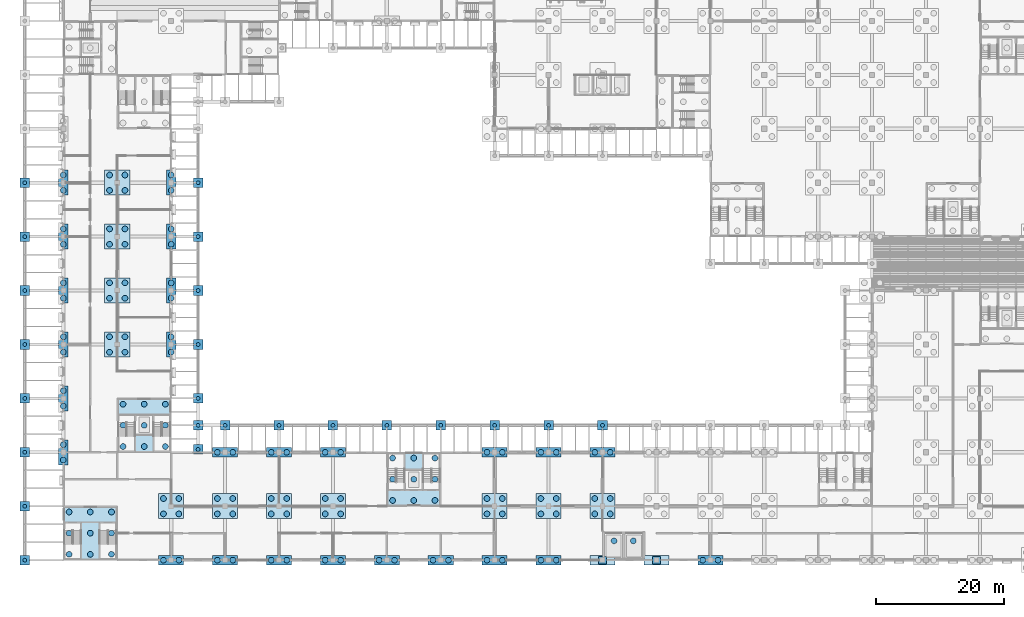
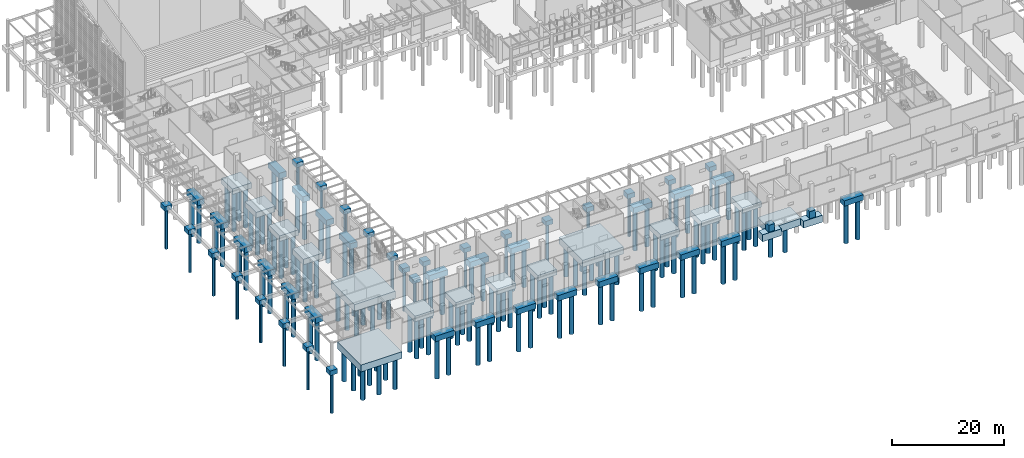
# One storey, part 1 of 82: 146 piles, 65 footings.
"""IFC4 building model written with IfcOpenShell, lengths in metres."""

from ifc_helpers import new_model, si_unit, direction, frame, origin, origin_2d, place, context, subcontext, project, spatial, polyline, rectangle, circle, outline, extrude, material, material_profile, profile_set, type_object, element, save


model = new_model("IFC4")

# Units and contexts
model_context = context("Model", 3, precision=1e-05, world=origin(), true_north=direction((0.0, 1.0)))
body_context = subcontext(model_context, "Body", "Model", "MODEL_VIEW")
ifc_project = project(units=[si_unit("LENGTHUNIT", "METRE"), si_unit("AREAUNIT", "SQUARE_METRE"), si_unit("VOLUMEUNIT", "CUBIC_METRE"), si_unit("PLANEANGLEUNIT", "RADIAN"), si_unit("MASSUNIT", "GRAM", prefix="KILO")], contexts=[model_context])

# Site, building, storey
site_placement = place(None, origin())
site = spatial("IfcSite", under=ifc_project, at=site_placement, CompositionType="ELEMENT")
building_placement = place(site_placement, origin())
building = spatial("IfcBuilding", under=site, at=building_placement, Name="Almond Square Museum", CompositionType="ELEMENT")
storey_placement = place(building_placement, origin())
storey = spatial("IfcBuildingStorey", under=building, at=storey_placement, Name="L00", CompositionType="ELEMENT", Elevation=0.0)

# Piles
ifc_material_1 = material(Name="Concrete C35/45", Category="concrete")
ifc_material_profile_1 = material_profile(ifc_material_1, circle(Radius=0.300048828125, at=origin_2d()))
ifc_profile_set_1 = profile_set([ifc_material_profile_1], Name="Concrete C35/45")
pile_type_1 = type_object("IfcPileType", Name="Bored pile D600 C35/45", PredefinedType="BORED", material=ifc_profile_set_1)
for number, where, z_axis, x_axis, name in (
    (1, (0.0, 0.0, -1.199951171875), (0.0, 0.0, -1.0), (1.0, 0.0, 0.0), "Bored pile 002-1"),
    (2, (0.0, 8.39990234375, -1.199951171875), (0.0, 0.0, -1.0), (1.0, 0.0, 0.0), "Bored pile 033-1"),
    (3, (0.0, 16.800048828125, -1.199951171875), (0.0, 0.0, -1.0), (1.0, 0.0, 0.0), "Bored pile 041-1"),
    (4, (27.0, 17.25, -1.199951171875), (0.0, 0.0, -1.0), (1.0, 0.0, 0.0), "Bored pile 052-1"),
    (5, (27.0, 21.0, -1.199951171875), (0.0, 0.0, -1.0), (1.0, 0.0, 0.0), "Bored pile 054-1"),
    (6, (31.199951171875, 21.0, -1.199951171875), (0.0, 0.0, -1.0), (1.0, 0.0, 0.0), "Bored pile 055-1"),
    (7, (39.60009765625, 21.0, -1.199951171875), (0.0, 0.0, -1.0), (1.0, 0.0, 0.0), "Bored pile 056-1"),
    (8, (48.0, 21.0, -1.199951171875), (0.0, 0.0, -1.0), (1.0, 0.0, 0.0), "Bored pile 057-1"),
    (9, (56.39990234375, 21.0, -1.199951171875), (0.0, 0.0, -1.0), (1.0, 0.0, 0.0), "Bored pile 058-1"),
    (10, (64.800048828125, 21.0, -1.199951171875), (0.0, 0.0, -1.0), (1.0, 0.0, 0.0), "Bored pile 059-1"),
    (11, (73.199951171875, 21.0, -1.199951171875), (0.0, 0.0, -1.0), (1.0, 0.0, 0.0), "Bored pile 060-1"),
    (12, (81.60009765625, 21.0, -1.199951171875), (0.0, 0.0, -1.0), (1.0, 0.0, 0.0), "Bored pile 061-1"),
    (13, (90.0, 21.0, -1.199951171875), (0.0, 0.0, -1.0), (1.0, 0.0, 0.0), "Bored pile 062-1"),
    (14, (0.0, 25.199951171875, -1.199951171875), (0.0, 0.0, -1.0), (1.0, 0.0, 0.0), "Bored pile 074-1"),
    (15, (27.0, 25.199951171875, -1.199951171875), (0.0, 0.0, -1.0), (1.0, 0.0, 0.0), "Bored pile 075-1"),
    (16, (0.0, 33.60009765625, -1.199951171875), (0.0, 0.0, -1.0), (1.0, 0.0, 0.0), "Bored pile 083-1"),
    (17, (27.0, 33.60009765625, -1.199951171875), (0.0, 0.0, -1.0), (1.0, 0.0, 0.0), "Bored pile 084-1"),
    (18, (0.0, 42.0, -1.199951171875), (0.0, 0.0, -1.0), (1.0, 0.0, 0.0), "Bored pile 092-1"),
    (19, (27.0, 42.0, -1.199951171875), (0.0, 0.0, -1.0), (1.0, 0.0, 0.0), "Bored pile 093-1"),
    (20, (0.0, 50.39990234375, -1.199951171875), (0.0, 0.0, -1.0), (1.0, 0.0, 0.0), "Bored pile 105-1"),
    (21, (27.0, 50.39990234375, -1.199951171875), (0.0, 0.0, -1.0), (1.0, 0.0, 0.0), "Bored pile 106-1"),
    (22, (0.0, 58.800048828125, -1.199951171875), (0.0, 0.0, -1.0), (1.0, 0.0, 0.0), "Bored pile 118-1"),
    (23, (27.0, 58.800048828125, -1.199951171875), (0.0, 0.0, -1.0), (1.0, 0.0, 0.0), "Bored pile 119-1"),
):
    element("IfcPile", number, at=place(storey_placement, frame(where, z_axis=z_axis, x_axis=x_axis)), inside=storey, type_object=pile_type_1, Name=name, PredefinedType="BORED", context=body_context, shape_type="SweptSolid", body=[
        extrude(circle(Radius=0.300048828125, at=origin_2d()), origin(), (0.0, 0.0, 1.0), 8.800048828125),
    ])
ifc_material_2 = material(Name="Concrete C35/45", Category="concrete")
ifc_material_profile_2 = material_profile(ifc_material_2, circle(Radius=0.449951171875, at=origin_2d()))
ifc_profile_set_2 = profile_set([ifc_material_profile_2], Name="Concrete C35/45")
pile_type_2 = type_object("IfcPileType", Name="Bored pile D900 C35/45", PredefinedType="BORED", material=ifc_profile_set_2)
for number, where, z_axis, x_axis, name in (
    (24, (21.60009765625, 0.0, -1.39990234375), (0.0, 0.0, -1.0), (1.0, 0.0, 0.0), "Bored pile 003-1"),
    (25, (24.0, 0.0, -1.39990234375), (0.0, 0.0, -1.0), (1.0, 0.0, 0.0), "Bored pile 003-2"),
    (26, (30.0, 0.0, -1.39990234375), (0.0, 0.0, -1.0), (1.0, 0.0, 0.0), "Bored pile 004-1"),
    (27, (32.39990234375, 0.0, -1.39990234375), (0.0, 0.0, -1.0), (1.0, 0.0, 0.0), "Bored pile 004-2"),
    (28, (38.39990234375, 0.0, -1.39990234375), (0.0, 0.0, -1.0), (1.0, 0.0, 0.0), "Bored pile 005-1"),
    (29, (40.800048828125, 0.0, -1.39990234375), (0.0, 0.0, -1.0), (1.0, 0.0, 0.0), "Bored pile 005-2"),
    (30, (46.800048828125, 0.0, -1.39990234375), (0.0, 0.0, -1.0), (1.0, 0.0, 0.0), "Bored pile 006-1"),
    (31, (49.199951171875, 0.0, -1.39990234375), (0.0, 0.0, -1.0), (1.0, 0.0, 0.0), "Bored pile 006-2"),
    (32, (55.199951171875, 0.0, -1.39990234375), (0.0, 0.0, -1.0), (1.0, 0.0, 0.0), "Bored pile 007-1"),
    (33, (57.60009765625, 0.0, -1.39990234375), (0.0, 0.0, -1.0), (1.0, 0.0, 0.0), "Bored pile 007-2"),
    (34, (63.60009765625, 0.0, -1.39990234375), (0.0, 0.0, -1.0), (1.0, 0.0, 0.0), "Bored pile 008-1"),
    (35, (66.0, 0.0, -1.39990234375), (0.0, 0.0, -1.0), (1.0, 0.0, 0.0), "Bored pile 008-2"),
    (36, (72.0, 0.0, -1.39990234375), (0.0, 0.0, -1.0), (1.0, 0.0, 0.0), "Bored pile 009-1"),
    (37, (74.39990234375, 0.0, -1.39990234375), (0.0, 0.0, -1.0), (1.0, 0.0, 0.0), "Bored pile 009-2"),
    (38, (80.39990234375, 0.0, -1.39990234375), (0.0, 0.0, -1.0), (1.0, 0.0, 0.0), "Bored pile 010-1"),
    (39, (82.800048828125, 0.0, -1.39990234375), (0.0, 0.0, -1.0), (1.0, 0.0, 0.0), "Bored pile 010-2"),
):
    element("IfcPile", number, at=place(storey_placement, frame(where, z_axis=z_axis, x_axis=x_axis)), inside=storey, type_object=pile_type_2, Name=name, PredefinedType="BORED", context=body_context, shape_type="SweptSolid", body=[
        extrude(circle(Radius=0.449951171875, at=origin_2d()), origin(), (0.0, 0.0, 1.0), 8.60009765625),
    ])
for number, where, z_axis, x_axis, name in (
    (40, (91.800048828125, 3.0, -3.199951171875), (0.0, 0.0, -1.0), (1.0, 0.0, 0.0), "Bored pile 011-1"),
    (41, (94.800048828125, 3.0, -3.199951171875), (0.0, 0.0, -1.0), (1.0, 0.0, 0.0), "Bored pile 011-2"),
):
    element("IfcPile", number, at=place(storey_placement, frame(where, z_axis=z_axis, x_axis=x_axis)), inside=storey, type_object=pile_type_2, Name=name, PredefinedType="BORED", context=body_context, shape_type="SweptSolid", body=[
        extrude(circle(Radius=0.449951171875, at=origin_2d()), origin(), (0.0, 0.0, 1.0), 6.800048828125),
    ])
for number, where, z_axis, x_axis, name in (
    (42, (105.60009765625, 0.0, -1.39990234375), (0.0, 0.0, -1.0), (1.0, 0.0, 0.0), "Bored pile 012-1"),
    (43, (108.0, 0.0, -1.39990234375), (0.0, 0.0, -1.0), (1.0, 0.0, 0.0), "Bored pile 012-2"),
):
    element("IfcPile", number, at=place(storey_placement, frame(where, z_axis=z_axis, x_axis=x_axis)), inside=storey, type_object=pile_type_2, Name=name, PredefinedType="BORED", context=body_context, shape_type="SweptSolid", body=[
        extrude(circle(Radius=0.449951171875, at=origin_2d()), origin(), (0.0, 0.0, 1.0), 8.60009765625),
    ])
for number, where, z_axis, x_axis, name in (
    (44, (6.89990234375, 0.89990234375, -3.199951171875), (0.0, 0.0, -1.0), (1.0, 0.0, 0.0), "Bored pile 019-1"),
    (45, (6.89990234375, 4.199951171875, -3.199951171875), (0.0, 0.0, -1.0), (1.0, 0.0, 0.0), "Bored pile 019-2"),
    (46, (6.89990234375, 7.5, -3.199951171875), (0.0, 0.0, -1.0), (1.0, 0.0, 0.0), "Bored pile 019-3"),
    (47, (10.199951171875, 0.89990234375, -3.199951171875), (0.0, 0.0, -1.0), (1.0, 0.0, 0.0), "Bored pile 019-4"),
    (48, (10.199951171875, 4.199951171875, -3.199951171875), (0.0, 0.0, -1.0), (1.0, 0.0, 0.0), "Bored pile 019-5"),
    (49, (10.199951171875, 7.5, -3.199951171875), (0.0, 0.0, -1.0), (1.0, 0.0, 0.0), "Bored pile 019-6"),
    (50, (13.5, 0.89990234375, -3.199951171875), (0.0, 0.0, -1.0), (1.0, 0.0, 0.0), "Bored pile 019-7"),
    (51, (13.5, 4.199951171875, -3.199951171875), (0.0, 0.0, -1.0), (1.0, 0.0, 0.0), "Bored pile 019-8"),
    (52, (13.5, 7.5, -3.199951171875), (0.0, 0.0, -1.0), (1.0, 0.0, 0.0), "Bored pile 019-9"),
):
    element("IfcPile", number, at=place(storey_placement, frame(where, z_axis=z_axis, x_axis=x_axis)), inside=storey, type_object=pile_type_2, Name=name, PredefinedType="BORED", context=body_context, shape_type="SweptSolid", body=[
        extrude(circle(Radius=0.449951171875, at=origin_2d()), origin(), (0.0, 0.0, 1.0), 6.800048828125),
    ])
for number, where, z_axis, x_axis, name in (
    (53, (21.60009765625, 7.199951171875, -1.39990234375), (0.0, 0.0, -1.0), (1.0, 0.0, 0.0), "Bored pile 020-1"),
    (54, (21.60009765625, 9.60009765625, -1.39990234375), (0.0, 0.0, -1.0), (1.0, 0.0, 0.0), "Bored pile 020-2"),
    (55, (24.0, 7.199951171875, -1.39990234375), (0.0, 0.0, -1.0), (1.0, 0.0, 0.0), "Bored pile 020-3"),
    (56, (24.0, 9.60009765625, -1.39990234375), (0.0, 0.0, -1.0), (1.0, 0.0, 0.0), "Bored pile 020-4"),
    (57, (30.0, 7.199951171875, -1.39990234375), (0.0, 0.0, -1.0), (1.0, 0.0, 0.0), "Bored pile 021-1"),
    (58, (30.0, 9.60009765625, -1.39990234375), (0.0, 0.0, -1.0), (1.0, 0.0, 0.0), "Bored pile 021-2"),
    (59, (32.39990234375, 7.199951171875, -1.39990234375), (0.0, 0.0, -1.0), (1.0, 0.0, 0.0), "Bored pile 021-3"),
    (60, (32.39990234375, 9.60009765625, -1.39990234375), (0.0, 0.0, -1.0), (1.0, 0.0, 0.0), "Bored pile 021-4"),
    (61, (38.39990234375, 7.199951171875, -1.39990234375), (0.0, 0.0, -1.0), (1.0, 0.0, 0.0), "Bored pile 022-1"),
    (62, (38.39990234375, 9.60009765625, -1.39990234375), (0.0, 0.0, -1.0), (1.0, 0.0, 0.0), "Bored pile 022-2"),
    (63, (40.800048828125, 7.199951171875, -1.39990234375), (0.0, 0.0, -1.0), (1.0, 0.0, 0.0), "Bored pile 022-3"),
    (64, (40.800048828125, 9.60009765625, -1.39990234375), (0.0, 0.0, -1.0), (1.0, 0.0, 0.0), "Bored pile 022-4"),
    (65, (46.800048828125, 7.199951171875, -1.39990234375), (0.0, 0.0, -1.0), (1.0, 0.0, 0.0), "Bored pile 023-1"),
    (66, (46.800048828125, 9.60009765625, -1.39990234375), (0.0, 0.0, -1.0), (1.0, 0.0, 0.0), "Bored pile 023-2"),
    (67, (49.199951171875, 7.199951171875, -1.39990234375), (0.0, 0.0, -1.0), (1.0, 0.0, 0.0), "Bored pile 023-3"),
    (68, (49.199951171875, 9.60009765625, -1.39990234375), (0.0, 0.0, -1.0), (1.0, 0.0, 0.0), "Bored pile 023-4"),
    (69, (72.0, 7.199951171875, -1.39990234375), (0.0, 0.0, -1.0), (1.0, 0.0, 0.0), "Bored pile 024-1"),
    (70, (72.0, 9.60009765625, -1.39990234375), (0.0, 0.0, -1.0), (1.0, 0.0, 0.0), "Bored pile 024-2"),
    (71, (74.39990234375, 7.199951171875, -1.39990234375), (0.0, 0.0, -1.0), (1.0, 0.0, 0.0), "Bored pile 024-3"),
    (72, (74.39990234375, 9.60009765625, -1.39990234375), (0.0, 0.0, -1.0), (1.0, 0.0, 0.0), "Bored pile 024-4"),
    (73, (80.39990234375, 7.199951171875, -1.39990234375), (0.0, 0.0, -1.0), (1.0, 0.0, 0.0), "Bored pile 025-1"),
    (74, (80.39990234375, 9.60009765625, -1.39990234375), (0.0, 0.0, -1.0), (1.0, 0.0, 0.0), "Bored pile 025-2"),
    (75, (82.800048828125, 7.199951171875, -1.39990234375), (0.0, 0.0, -1.0), (1.0, 0.0, 0.0), "Bored pile 025-3"),
    (76, (82.800048828125, 9.60009765625, -1.39990234375), (0.0, 0.0, -1.0), (1.0, 0.0, 0.0), "Bored pile 025-4"),
    (77, (88.800048828125, 7.199951171875, -1.39990234375), (0.0, 0.0, -1.0), (1.0, 0.0, 0.0), "Bored pile 026-1"),
    (78, (88.800048828125, 9.60009765625, -1.39990234375), (0.0, 0.0, -1.0), (1.0, 0.0, 0.0), "Bored pile 026-2"),
    (79, (91.199951171875, 7.199951171875, -1.39990234375), (0.0, 0.0, -1.0), (1.0, 0.0, 0.0), "Bored pile 026-3"),
    (80, (91.199951171875, 9.60009765625, -1.39990234375), (0.0, 0.0, -1.0), (1.0, 0.0, 0.0), "Bored pile 026-4"),
):
    element("IfcPile", number, at=place(storey_placement, frame(where, z_axis=z_axis, x_axis=x_axis)), inside=storey, type_object=pile_type_2, Name=name, PredefinedType="BORED", context=body_context, shape_type="SweptSolid", body=[
        extrude(circle(Radius=0.449951171875, at=origin_2d()), origin(), (0.0, 0.0, 1.0), 8.60009765625),
    ])
for number, where, z_axis, x_axis, name in (
    (81, (57.300048828125, 9.300048828125, -3.199951171875), (0.0, 0.0, -1.0), (1.0, 0.0, 0.0), "Bored pile 035-1"),
    (82, (57.300048828125, 12.60009765625, -3.199951171875), (0.0, 0.0, -1.0), (1.0, 0.0, 0.0), "Bored pile 035-2"),
    (83, (57.300048828125, 15.89990234375, -3.199951171875), (0.0, 0.0, -1.0), (1.0, 0.0, 0.0), "Bored pile 035-3"),
    (84, (60.60009765625, 9.300048828125, -3.199951171875), (0.0, 0.0, -1.0), (1.0, 0.0, 0.0), "Bored pile 035-4"),
    (85, (60.60009765625, 12.60009765625, -3.199951171875), (0.0, 0.0, -1.0), (1.0, 0.0, 0.0), "Bored pile 035-5"),
    (86, (60.60009765625, 15.89990234375, -3.199951171875), (0.0, 0.0, -1.0), (1.0, 0.0, 0.0), "Bored pile 035-6"),
    (87, (63.89990234375, 9.300048828125, -3.199951171875), (0.0, 0.0, -1.0), (1.0, 0.0, 0.0), "Bored pile 035-7"),
    (88, (63.89990234375, 12.60009765625, -3.199951171875), (0.0, 0.0, -1.0), (1.0, 0.0, 0.0), "Bored pile 035-8"),
    (89, (63.89990234375, 15.89990234375, -3.199951171875), (0.0, 0.0, -1.0), (1.0, 0.0, 0.0), "Bored pile 035-9"),
):
    element("IfcPile", number, at=place(storey_placement, frame(where, z_axis=z_axis, x_axis=x_axis)), inside=storey, type_object=pile_type_2, Name=name, PredefinedType="BORED", context=body_context, shape_type="SweptSolid", body=[
        extrude(circle(Radius=0.449951171875, at=origin_2d()), origin(), (0.0, 0.0, 1.0), 6.800048828125),
    ])
for number, where, z_axis, x_axis, name in (
    (90, (6.0, 15.60009765625, -1.39990234375), (0.0, 0.0, -1.0), (1.0, 0.0, 0.0), "Bored pile 037-1"),
    (91, (6.0, 18.0, -1.39990234375), (0.0, 0.0, -1.0), (1.0, 0.0, 0.0), "Bored pile 037-2"),
    (92, (30.0, 16.800048828125, -1.39990234375), (0.0, 0.0, -1.0), (1.0, 0.0, 0.0), "Bored pile 042-1"),
    (93, (32.39990234375, 16.800048828125, -1.39990234375), (0.0, 0.0, -1.0), (1.0, 0.0, 0.0), "Bored pile 042-2"),
    (94, (38.39990234375, 16.800048828125, -1.39990234375), (0.0, 0.0, -1.0), (1.0, 0.0, 0.0), "Bored pile 043-1"),
    (95, (40.800048828125, 16.800048828125, -1.39990234375), (0.0, 0.0, -1.0), (1.0, 0.0, 0.0), "Bored pile 043-2"),
    (96, (46.800048828125, 16.800048828125, -1.39990234375), (0.0, 0.0, -1.0), (1.0, 0.0, 0.0), "Bored pile 044-1"),
    (97, (49.199951171875, 16.800048828125, -1.39990234375), (0.0, 0.0, -1.0), (1.0, 0.0, 0.0), "Bored pile 044-2"),
    (98, (72.0, 16.800048828125, -1.39990234375), (0.0, 0.0, -1.0), (1.0, 0.0, 0.0), "Bored pile 045-1"),
    (99, (74.39990234375, 16.800048828125, -1.39990234375), (0.0, 0.0, -1.0), (1.0, 0.0, 0.0), "Bored pile 045-2"),
    (100, (80.39990234375, 16.800048828125, -1.39990234375), (0.0, 0.0, -1.0), (1.0, 0.0, 0.0), "Bored pile 046-1"),
    (101, (82.800048828125, 16.800048828125, -1.39990234375), (0.0, 0.0, -1.0), (1.0, 0.0, 0.0), "Bored pile 046-2"),
    (102, (88.800048828125, 16.800048828125, -1.39990234375), (0.0, 0.0, -1.0), (1.0, 0.0, 0.0), "Bored pile 047-1"),
    (103, (91.199951171875, 16.800048828125, -1.39990234375), (0.0, 0.0, -1.0), (1.0, 0.0, 0.0), "Bored pile 047-2"),
):
    element("IfcPile", number, at=place(storey_placement, frame(where, z_axis=z_axis, x_axis=x_axis)), inside=storey, type_object=pile_type_2, Name=name, PredefinedType="BORED", context=body_context, shape_type="SweptSolid", body=[
        extrude(circle(Radius=0.449951171875, at=origin_2d()), origin(), (0.0, 0.0, 1.0), 8.60009765625),
    ])
for number, where, z_axis, x_axis, name in (
    (104, (15.300048828125, 17.699951171875, -3.199951171875), (0.0, 0.0, -1.0), (1.0, 0.0, 0.0), "Bored pile 053-1"),
    (105, (15.300048828125, 21.0, -3.199951171875), (0.0, 0.0, -1.0), (1.0, 0.0, 0.0), "Bored pile 053-2"),
    (106, (15.300048828125, 24.300048828125, -3.199951171875), (0.0, 0.0, -1.0), (1.0, 0.0, 0.0), "Bored pile 053-3"),
    (107, (18.60009765625, 17.699951171875, -3.199951171875), (0.0, 0.0, -1.0), (1.0, 0.0, 0.0), "Bored pile 053-4"),
    (108, (18.60009765625, 21.0, -3.199951171875), (0.0, 0.0, -1.0), (1.0, 0.0, 0.0), "Bored pile 053-5"),
    (109, (18.60009765625, 24.300048828125, -3.199951171875), (0.0, 0.0, -1.0), (1.0, 0.0, 0.0), "Bored pile 053-6"),
    (110, (21.89990234375, 17.699951171875, -3.199951171875), (0.0, 0.0, -1.0), (1.0, 0.0, 0.0), "Bored pile 053-7"),
    (111, (21.89990234375, 21.0, -3.199951171875), (0.0, 0.0, -1.0), (1.0, 0.0, 0.0), "Bored pile 053-8"),
    (112, (21.89990234375, 24.300048828125, -3.199951171875), (0.0, 0.0, -1.0), (1.0, 0.0, 0.0), "Bored pile 053-9"),
):
    element("IfcPile", number, at=place(storey_placement, frame(where, z_axis=z_axis, x_axis=x_axis)), inside=storey, type_object=pile_type_2, Name=name, PredefinedType="BORED", context=body_context, shape_type="SweptSolid", body=[
        extrude(circle(Radius=0.449951171875, at=origin_2d()), origin(), (0.0, 0.0, 1.0), 6.800048828125),
    ])
for number, where, z_axis, x_axis, name in (
    (113, (6.0, 24.0, -1.39990234375), (0.0, 0.0, -1.0), (1.0, 0.0, 0.0), "Bored pile 069-1"),
    (114, (6.0, 26.39990234375, -1.39990234375), (0.0, 0.0, -1.0), (1.0, 0.0, 0.0), "Bored pile 069-2"),
    (115, (6.0, 32.39990234375, -1.39990234375), (0.0, 0.0, -1.0), (1.0, 0.0, 0.0), "Bored pile 078-1"),
    (116, (6.0, 34.800048828125, -1.39990234375), (0.0, 0.0, -1.0), (1.0, 0.0, 0.0), "Bored pile 078-2"),
    (117, (13.199951171875, 32.39990234375, -1.39990234375), (0.0, 0.0, -1.0), (1.0, 0.0, 0.0), "Bored pile 079-1"),
    (118, (13.199951171875, 34.800048828125, -1.39990234375), (0.0, 0.0, -1.0), (1.0, 0.0, 0.0), "Bored pile 079-2"),
    (119, (15.60009765625, 32.39990234375, -1.39990234375), (0.0, 0.0, -1.0), (1.0, 0.0, 0.0), "Bored pile 079-3"),
    (120, (15.60009765625, 34.800048828125, -1.39990234375), (0.0, 0.0, -1.0), (1.0, 0.0, 0.0), "Bored pile 079-4"),
    (121, (22.800048828125, 32.39990234375, -1.39990234375), (0.0, 0.0, -1.0), (1.0, 0.0, 0.0), "Bored pile 080-1"),
    (122, (22.800048828125, 34.800048828125, -1.39990234375), (0.0, 0.0, -1.0), (1.0, 0.0, 0.0), "Bored pile 080-2"),
    (123, (6.0, 40.800048828125, -1.39990234375), (0.0, 0.0, -1.0), (1.0, 0.0, 0.0), "Bored pile 088-1"),
    (124, (6.0, 43.199951171875, -1.39990234375), (0.0, 0.0, -1.0), (1.0, 0.0, 0.0), "Bored pile 088-2"),
    (125, (13.199951171875, 40.800048828125, -1.39990234375), (0.0, 0.0, -1.0), (1.0, 0.0, 0.0), "Bored pile 089-1"),
    (126, (13.199951171875, 43.199951171875, -1.39990234375), (0.0, 0.0, -1.0), (1.0, 0.0, 0.0), "Bored pile 089-2"),
    (127, (15.60009765625, 40.800048828125, -1.39990234375), (0.0, 0.0, -1.0), (1.0, 0.0, 0.0), "Bored pile 089-3"),
    (128, (15.60009765625, 43.199951171875, -1.39990234375), (0.0, 0.0, -1.0), (1.0, 0.0, 0.0), "Bored pile 089-4"),
    (129, (22.800048828125, 40.800048828125, -1.39990234375), (0.0, 0.0, -1.0), (1.0, 0.0, 0.0), "Bored pile 090-1"),
    (130, (22.800048828125, 43.199951171875, -1.39990234375), (0.0, 0.0, -1.0), (1.0, 0.0, 0.0), "Bored pile 090-2"),
    (131, (6.0, 49.199951171875, -1.39990234375), (0.0, 0.0, -1.0), (1.0, 0.0, 0.0), "Bored pile 101-1"),
    (132, (6.0, 51.60009765625, -1.39990234375), (0.0, 0.0, -1.0), (1.0, 0.0, 0.0), "Bored pile 101-2"),
    (133, (13.199951171875, 49.199951171875, -1.39990234375), (0.0, 0.0, -1.0), (1.0, 0.0, 0.0), "Bored pile 102-1"),
    (134, (13.199951171875, 51.60009765625, -1.39990234375), (0.0, 0.0, -1.0), (1.0, 0.0, 0.0), "Bored pile 102-2"),
    (135, (15.60009765625, 49.199951171875, -1.39990234375), (0.0, 0.0, -1.0), (1.0, 0.0, 0.0), "Bored pile 102-3"),
    (136, (15.60009765625, 51.60009765625, -1.39990234375), (0.0, 0.0, -1.0), (1.0, 0.0, 0.0), "Bored pile 102-4"),
    (137, (22.800048828125, 49.199951171875, -1.39990234375), (0.0, 0.0, -1.0), (1.0, 0.0, 0.0), "Bored pile 103-1"),
    (138, (22.800048828125, 51.60009765625, -1.39990234375), (0.0, 0.0, -1.0), (1.0, 0.0, 0.0), "Bored pile 103-2"),
    (139, (6.0, 57.60009765625, -1.39990234375), (0.0, 0.0, -1.0), (1.0, 0.0, 0.0), "Bored pile 112-1"),
    (140, (6.0, 60.0, -1.39990234375), (0.0, 0.0, -1.0), (1.0, 0.0, 0.0), "Bored pile 112-2"),
    (141, (13.199951171875, 57.60009765625, -1.39990234375), (0.0, 0.0, -1.0), (1.0, 0.0, 0.0), "Bored pile 113-1"),
    (142, (13.199951171875, 60.0, -1.39990234375), (0.0, 0.0, -1.0), (1.0, 0.0, 0.0), "Bored pile 113-2"),
    (143, (15.60009765625, 57.60009765625, -1.39990234375), (0.0, 0.0, -1.0), (1.0, 0.0, 0.0), "Bored pile 113-3"),
    (144, (15.60009765625, 60.0, -1.39990234375), (0.0, 0.0, -1.0), (1.0, 0.0, 0.0), "Bored pile 113-4"),
    (145, (22.800048828125, 57.60009765625, -1.39990234375), (0.0, 0.0, -1.0), (1.0, 0.0, 0.0), "Bored pile 114-1"),
    (146, (22.800048828125, 60.0, -1.39990234375), (0.0, 0.0, -1.0), (1.0, 0.0, 0.0), "Bored pile 114-2"),
):
    element("IfcPile", number, at=place(storey_placement, frame(where, z_axis=z_axis, x_axis=x_axis)), inside=storey, type_object=pile_type_2, Name=name, PredefinedType="BORED", context=body_context, shape_type="SweptSolid", body=[
        extrude(circle(Radius=0.449951171875, at=origin_2d()), origin(), (0.0, 0.0, 1.0), 8.60009765625),
    ])

# Footings
ifc_material_3 = material(Name="Concrete C35/45", Category="concrete")
footing_type_1 = type_object("IfcFootingType", Name="Column pedestal on a combined cap", PredefinedType="PAD_FOOTING", material=ifc_material_3)
for number, where, z_axis, x_axis, name in (
    (147, (90.0, 0.0, -1.800048828125), (0.0, 0.0, 1.0), (1.0, 0.0, 0.0), "Column pedestal PD-02"),
    (148, (98.39990234375, 0.0, -1.800048828125), (0.0, 0.0, 1.0), (1.0, 0.0, 0.0), "Column pedestal PD-04"),
):
    element("IfcFooting", number, at=place(storey_placement, frame(where, z_axis=z_axis, x_axis=x_axis)), inside=storey, type_object=footing_type_1, Name=name, PredefinedType="PAD_FOOTING", context=body_context, shape_type="SweptSolid", body=[
        extrude(rectangle(XDim=1.199951171875, YDim=1.199951171875, at=origin_2d()), origin(), (0.0, 0.0, 1.0), 1.5),
    ])
ifc_material_4 = material(Name="Concrete C35/45", Category="concrete")
footing_type_2 = type_object("IfcFootingType", Name="Pile cap on a core and the columns beside it on a combined raft", PredefinedType="PILE_CAP", material=ifc_material_4)
footing_1_placement = place(storey_placement, frame((0.0, 0.0, -3.300048828125)))
element("IfcFooting", 149, at=footing_1_placement, inside=storey, type_object=footing_type_2, Name="Pile cap PC-11", PredefinedType="PILE_CAP", context=body_context, shape_type="SweptSolid", body=[
    extrude(outline(polyline([(91.949951171875, -0.75), (88.050048828125, -0.75), (88.050048828125, 0.75), (90.0, 0.75), (90.0, 4.39990234375), (96.60009765625, 4.39990234375), (96.60009765625, 0.75), (100.35009765625, 0.75), (100.35009765625, -0.75), (96.449951171875, -0.75), (96.449951171875, 0.300048828125), (91.949951171875, 0.300048828125), (91.949951171875, -0.75)])), origin(), (0.0, 0.0, 1.0), 1.5),
])
ifc_material_5 = material(Name="Concrete C35/45", Category="concrete")
footing_type_3 = type_object("IfcFootingType", Name="Pile cap on four bored piles D900", PredefinedType="PILE_CAP", material=ifc_material_5)
for number, where, z_axis, x_axis, name in (
    (150, (22.800048828125, 8.39990234375, -1.5), (0.0, 0.0, 1.0), (1.0, 0.0, 0.0), "Pile cap PC-20"),
    (151, (31.199951171875, 8.39990234375, -1.5), (0.0, 0.0, 1.0), (1.0, 0.0, 0.0), "Pile cap PC-21"),
    (152, (39.60009765625, 8.39990234375, -1.5), (0.0, 0.0, 1.0), (1.0, 0.0, 0.0), "Pile cap PC-22"),
    (153, (48.0, 8.39990234375, -1.5), (0.0, 0.0, 1.0), (1.0, 0.0, 0.0), "Pile cap PC-23"),
    (154, (73.199951171875, 8.39990234375, -1.5), (0.0, 0.0, 1.0), (1.0, 0.0, 0.0), "Pile cap PC-24"),
    (155, (81.60009765625, 8.39990234375, -1.5), (0.0, 0.0, 1.0), (1.0, 0.0, 0.0), "Pile cap PC-25"),
    (156, (90.0, 8.39990234375, -1.5), (0.0, 0.0, 1.0), (1.0, 0.0, 0.0), "Pile cap PC-26"),
    (157, (14.39990234375, 33.60009765625, -1.5), (0.0, 0.0, 1.0), (1.0, 0.0, 0.0), "Pile cap PC-79"),
    (158, (14.39990234375, 42.0, -1.5), (0.0, 0.0, 1.0), (1.0, 0.0, 0.0), "Pile cap PC-89"),
    (159, (14.39990234375, 50.39990234375, -1.5), (0.0, 0.0, 1.0), (1.0, 0.0, 0.0), "Pile cap PC-102"),
    (160, (14.39990234375, 58.800048828125, -1.5), (0.0, 0.0, 1.0), (1.0, 0.0, 0.0), "Pile cap PC-113"),
):
    element("IfcFooting", number, at=place(storey_placement, frame(where, z_axis=z_axis, x_axis=x_axis)), inside=storey, type_object=footing_type_3, Name=name, PredefinedType="PILE_CAP", context=body_context, shape_type="SweptSolid", body=[
        extrude(rectangle(XDim=3.89990234375, YDim=3.89990234375, at=origin_2d()), origin(), (0.0, 0.0, 1.0), 1.199951171875),
    ])
ifc_material_6 = material(Name="Concrete C35/45", Category="concrete")
footing_type_4 = type_object("IfcFootingType", Name="Pile cap on nine bored piles D900 under a stair core", PredefinedType="PILE_CAP", material=ifc_material_6)
for number, where, z_axis, x_axis, name in (
    (161, (10.199951171875, 4.199951171875, -3.300048828125), (0.0, 0.0, 1.0), (1.0, 0.0, 0.0), "Pile cap PC-19"),
    (162, (60.60009765625, 12.60009765625, -3.300048828125), (0.0, 0.0, 1.0), (1.0, 0.0, 0.0), "Pile cap PC-35"),
    (163, (18.60009765625, 21.0, -3.300048828125), (0.0, 0.0, 1.0), (1.0, 0.0, 0.0), "Pile cap PC-53"),
):
    element("IfcFooting", number, at=place(storey_placement, frame(where, z_axis=z_axis, x_axis=x_axis)), inside=storey, type_object=footing_type_4, Name=name, PredefinedType="PILE_CAP", context=body_context, shape_type="SweptSolid", body=[
        extrude(rectangle(XDim=8.39990234375, YDim=8.39990234375, at=origin_2d()), origin(), (0.0, 0.0, 1.0), 1.5),
    ])
ifc_material_7 = material(Name="Concrete C35/45", Category="concrete")
footing_type_5 = type_object("IfcFootingType", Name="Pile cap on one bored pile D600", PredefinedType="PILE_CAP", material=ifc_material_7)
for number, where, z_axis, x_axis, name in (
    (164, (0.0, 0.0, -1.300048828125), (0.0, 0.0, 1.0), (1.0, 0.0, 0.0), "Pile cap PC-02"),
    (165, (0.0, 8.39990234375, -1.300048828125), (0.0, 0.0, 1.0), (1.0, 0.0, 0.0), "Pile cap PC-33"),
    (166, (0.0, 16.800048828125, -1.300048828125), (0.0, 0.0, 1.0), (1.0, 0.0, 0.0), "Pile cap PC-41"),
    (167, (27.0, 17.25, -1.300048828125), (0.0, 0.0, 1.0), (1.0, 0.0, 0.0), "Pile cap PC-52"),
    (168, (27.0, 21.0, -1.300048828125), (0.0, 0.0, 1.0), (1.0, 0.0, 0.0), "Pile cap PC-54"),
    (169, (31.199951171875, 21.0, -1.300048828125), (0.0, 0.0, 1.0), (1.0, 0.0, 0.0), "Pile cap PC-55"),
    (170, (39.60009765625, 21.0, -1.300048828125), (0.0, 0.0, 1.0), (1.0, 0.0, 0.0), "Pile cap PC-56"),
    (171, (48.0, 21.0, -1.300048828125), (0.0, 0.0, 1.0), (1.0, 0.0, 0.0), "Pile cap PC-57"),
    (172, (56.39990234375, 21.0, -1.300048828125), (0.0, 0.0, 1.0), (1.0, 0.0, 0.0), "Pile cap PC-58"),
    (173, (64.800048828125, 21.0, -1.300048828125), (0.0, 0.0, 1.0), (1.0, 0.0, 0.0), "Pile cap PC-59"),
    (174, (73.199951171875, 21.0, -1.300048828125), (0.0, 0.0, 1.0), (1.0, 0.0, 0.0), "Pile cap PC-60"),
    (175, (81.60009765625, 21.0, -1.300048828125), (0.0, 0.0, 1.0), (1.0, 0.0, 0.0), "Pile cap PC-61"),
    (176, (90.0, 21.0, -1.300048828125), (0.0, 0.0, 1.0), (1.0, 0.0, 0.0), "Pile cap PC-62"),
    (177, (0.0, 25.199951171875, -1.300048828125), (0.0, 0.0, 1.0), (1.0, 0.0, 0.0), "Pile cap PC-74"),
    (178, (27.0, 25.199951171875, -1.300048828125), (0.0, 0.0, 1.0), (1.0, 0.0, 0.0), "Pile cap PC-75"),
    (179, (0.0, 33.60009765625, -1.300048828125), (0.0, 0.0, 1.0), (1.0, 0.0, 0.0), "Pile cap PC-83"),
    (180, (27.0, 33.60009765625, -1.300048828125), (0.0, 0.0, 1.0), (1.0, 0.0, 0.0), "Pile cap PC-84"),
    (181, (0.0, 42.0, -1.300048828125), (0.0, 0.0, 1.0), (1.0, 0.0, 0.0), "Pile cap PC-92"),
    (182, (27.0, 42.0, -1.300048828125), (0.0, 0.0, 1.0), (1.0, 0.0, 0.0), "Pile cap PC-93"),
    (183, (0.0, 50.39990234375, -1.300048828125), (0.0, 0.0, 1.0), (1.0, 0.0, 0.0), "Pile cap PC-105"),
    (184, (27.0, 50.39990234375, -1.300048828125), (0.0, 0.0, 1.0), (1.0, 0.0, 0.0), "Pile cap PC-106"),
    (185, (0.0, 58.800048828125, -1.300048828125), (0.0, 0.0, 1.0), (1.0, 0.0, 0.0), "Pile cap PC-118"),
    (186, (27.0, 58.800048828125, -1.300048828125), (0.0, 0.0, 1.0), (1.0, 0.0, 0.0), "Pile cap PC-119"),
):
    element("IfcFooting", number, at=place(storey_placement, frame(where, z_axis=z_axis, x_axis=x_axis)), inside=storey, type_object=footing_type_5, Name=name, PredefinedType="PILE_CAP", context=body_context, shape_type="SweptSolid", body=[
        extrude(rectangle(XDim=1.5, YDim=1.5, at=origin_2d()), origin(), (0.0, 0.0, 1.0), 1.0),
    ])
ifc_material_8 = material(Name="Concrete C35/45", Category="concrete")
footing_type_6 = type_object("IfcFootingType", Name="Pile cap on two bored piles D900", PredefinedType="PILE_CAP", material=ifc_material_8)
for number, where, z_axis, x_axis, name in (
    (187, (22.800048828125, 0.0, -1.5), (0.0, 0.0, 1.0), (1.0, 0.0, 0.0), "Pile cap PC-03"),
    (188, (31.199951171875, 0.0, -1.5), (0.0, 0.0, 1.0), (1.0, 0.0, 0.0), "Pile cap PC-04"),
    (189, (39.60009765625, 0.0, -1.5), (0.0, 0.0, 1.0), (1.0, 0.0, 0.0), "Pile cap PC-05"),
    (190, (48.0, 0.0, -1.5), (0.0, 0.0, 1.0), (1.0, 0.0, 0.0), "Pile cap PC-06"),
    (191, (56.39990234375, 0.0, -1.5), (0.0, 0.0, 1.0), (1.0, 0.0, 0.0), "Pile cap PC-07"),
    (192, (64.800048828125, 0.0, -1.5), (0.0, 0.0, 1.0), (1.0, 0.0, 0.0), "Pile cap PC-08"),
    (193, (73.199951171875, 0.0, -1.5), (0.0, 0.0, 1.0), (1.0, 0.0, 0.0), "Pile cap PC-09"),
    (194, (81.60009765625, 0.0, -1.5), (0.0, 0.0, 1.0), (1.0, 0.0, 0.0), "Pile cap PC-10"),
    (195, (106.800048828125, 0.0, -1.5), (0.0, 0.0, 1.0), (1.0, 0.0, 0.0), "Pile cap PC-12"),
):
    element("IfcFooting", number, at=place(storey_placement, frame(where, z_axis=z_axis, x_axis=x_axis)), inside=storey, type_object=footing_type_6, Name=name, PredefinedType="PILE_CAP", context=body_context, shape_type="SweptSolid", body=[
        extrude(rectangle(XDim=3.89990234375, YDim=1.5, at=origin_2d()), origin(), (0.0, 0.0, 1.0), 1.199951171875),
    ])
footing_2_placement = place(storey_placement, frame((6.0, 16.800048828125, -1.5), z_axis=(0.0, 0.0, 1.0), x_axis=(1.0, 0.0, 0.0)))
element("IfcFooting", 196, at=footing_2_placement, inside=storey, type_object=footing_type_6, Name="Pile cap PC-37", PredefinedType="PILE_CAP", context=body_context, shape_type="SweptSolid", body=[
    extrude(rectangle(XDim=1.5, YDim=3.89990234375, at=origin_2d()), origin(), (0.0, 0.0, 1.0), 1.199951171875),
])
for number, where, z_axis, x_axis, name in (
    (197, (31.199951171875, 16.800048828125, -1.5), (0.0, 0.0, 1.0), (1.0, 0.0, 0.0), "Pile cap PC-42"),
    (198, (39.60009765625, 16.800048828125, -1.5), (0.0, 0.0, 1.0), (1.0, 0.0, 0.0), "Pile cap PC-43"),
    (199, (48.0, 16.800048828125, -1.5), (0.0, 0.0, 1.0), (1.0, 0.0, 0.0), "Pile cap PC-44"),
    (200, (73.199951171875, 16.800048828125, -1.5), (0.0, 0.0, 1.0), (1.0, 0.0, 0.0), "Pile cap PC-45"),
    (201, (81.60009765625, 16.800048828125, -1.5), (0.0, 0.0, 1.0), (1.0, 0.0, 0.0), "Pile cap PC-46"),
    (202, (90.0, 16.800048828125, -1.5), (0.0, 0.0, 1.0), (1.0, 0.0, 0.0), "Pile cap PC-47"),
):
    element("IfcFooting", number, at=place(storey_placement, frame(where, z_axis=z_axis, x_axis=x_axis)), inside=storey, type_object=footing_type_6, Name=name, PredefinedType="PILE_CAP", context=body_context, shape_type="SweptSolid", body=[
        extrude(rectangle(XDim=3.89990234375, YDim=1.5, at=origin_2d()), origin(), (0.0, 0.0, 1.0), 1.199951171875),
    ])
for number, where, z_axis, x_axis, name in (
    (203, (6.0, 25.199951171875, -1.5), (0.0, 0.0, 1.0), (1.0, 0.0, 0.0), "Pile cap PC-69"),
    (204, (6.0, 33.60009765625, -1.5), (0.0, 0.0, 1.0), (1.0, 0.0, 0.0), "Pile cap PC-78"),
    (205, (22.800048828125, 33.60009765625, -1.5), (0.0, 0.0, 1.0), (1.0, 0.0, 0.0), "Pile cap PC-80"),
    (206, (6.0, 42.0, -1.5), (0.0, 0.0, 1.0), (1.0, 0.0, 0.0), "Pile cap PC-88"),
    (207, (22.800048828125, 42.0, -1.5), (0.0, 0.0, 1.0), (1.0, 0.0, 0.0), "Pile cap PC-90"),
    (208, (6.0, 50.39990234375, -1.5), (0.0, 0.0, 1.0), (1.0, 0.0, 0.0), "Pile cap PC-101"),
    (209, (22.800048828125, 50.39990234375, -1.5), (0.0, 0.0, 1.0), (1.0, 0.0, 0.0), "Pile cap PC-103"),
    (210, (6.0, 58.800048828125, -1.5), (0.0, 0.0, 1.0), (1.0, 0.0, 0.0), "Pile cap PC-112"),
    (211, (22.800048828125, 58.800048828125, -1.5), (0.0, 0.0, 1.0), (1.0, 0.0, 0.0), "Pile cap PC-114"),
):
    element("IfcFooting", number, at=place(storey_placement, frame(where, z_axis=z_axis, x_axis=x_axis)), inside=storey, type_object=footing_type_6, Name=name, PredefinedType="PILE_CAP", context=body_context, shape_type="SweptSolid", body=[
        extrude(rectangle(XDim=1.5, YDim=3.89990234375, at=origin_2d()), origin(), (0.0, 0.0, 1.0), 1.199951171875),
    ])

save(model, "model.ifc")
